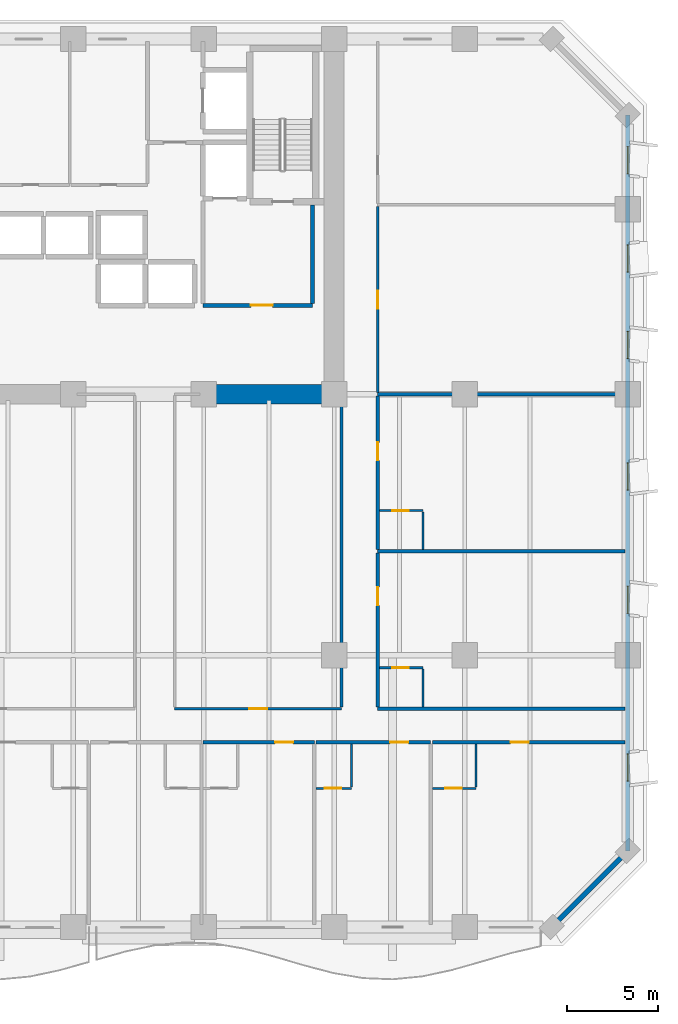
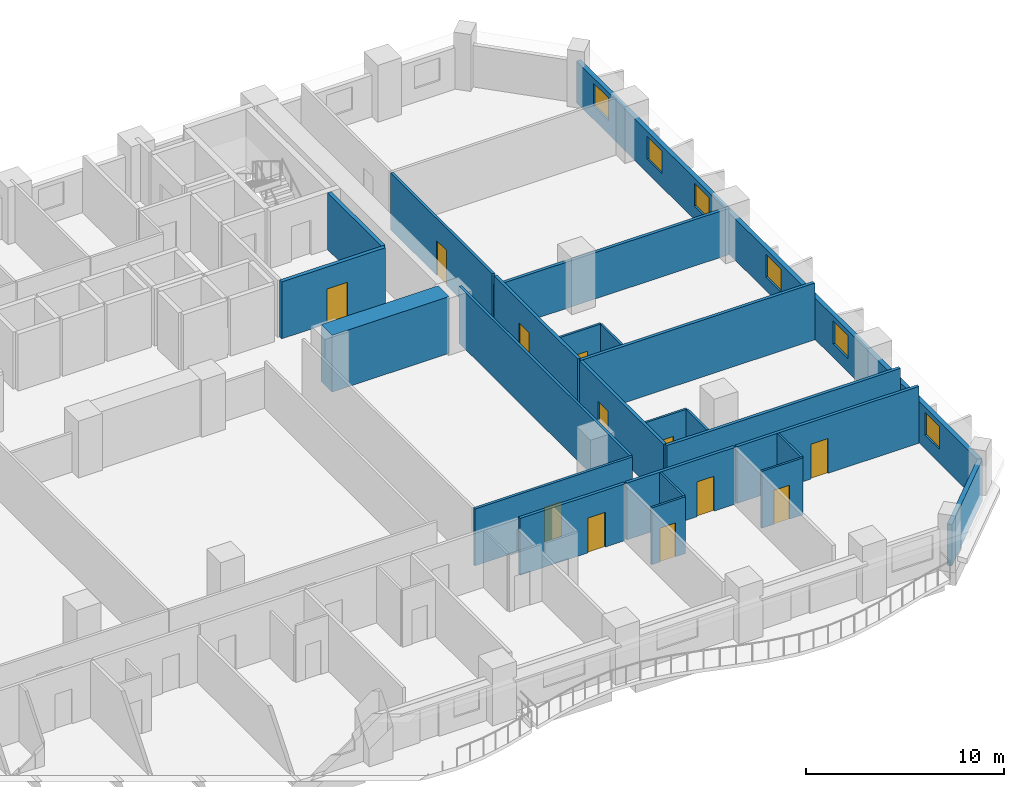
# One storey, part 10 of 15: 24 walls, 12 doors, 6 windows, 18 openings.
"""IFC4 building model written with IfcOpenShell, lengths in metres."""

from ifc_helpers import new_model, si_unit, direction, frame, frame_2d, origin, place, context, subcontext, project, spatial, rectangle, extrude, material, layer, layer_set, type_object, element, fill, save


model = new_model("IFC4")

# Units and contexts
model_context = context("Model", 3, precision=1e-05, world=origin(), true_north=direction((0.0, 1.0)))
body_context = subcontext(model_context, "Body", "Model", "MODEL_VIEW")
ifc_project = project(units=[si_unit("LENGTHUNIT", "METRE"), si_unit("AREAUNIT", "SQUARE_METRE"), si_unit("VOLUMEUNIT", "CUBIC_METRE"), si_unit("PLANEANGLEUNIT", "RADIAN"), si_unit("MASSUNIT", "GRAM", prefix="KILO")], contexts=[model_context])

# Site, building, storey
site_placement = place(None, origin())
site = spatial("IfcSite", under=ifc_project, at=site_placement, CompositionType="ELEMENT")
building_placement = place(site_placement, origin())
building = spatial("IfcBuilding", under=site, at=building_placement, Name="Kaelvorn Grand Hotel", CompositionType="ELEMENT")
storey_placement = place(building_placement, frame((0.0, 0.0, 42.64990234375)))
storey = spatial("IfcBuildingStorey", under=building, at=storey_placement, Name="L08", CompositionType="ELEMENT", Elevation=42.64990234375)

# Walls
ifc_material_1 = material(Name="Concrete C80/95", Category="concrete")
ifc_layer_1 = layer(ifc_material_1, 1.10009765625)
ifc_layer_set_1 = layer_set([ifc_layer_1], Name="Concrete C80/95")
wall_type_1 = type_object("IfcWallType", Name="WL-CORE-1100-C80", PredefinedType="SHEAR", material=ifc_layer_set_1)
wall_1_placement = place(storey_placement, frame((60.39990234375, 29.39990234375, 0.0), z_axis=(0.0, 0.0, 1.0), x_axis=(1.0, 0.0, 0.0)))
element("IfcWall", 1, at=wall_1_placement, inside=storey, type_object=wall_type_1, Name="L08 Rear-Core Coupled Shear Pier S4", PredefinedType="SHEAR", context=body_context, shape_type="SweptSolid", body=[
    extrude(rectangle(XDim=6.84521484375, YDim=1.10009765625, at=frame_2d((3.422607421875, 0.0))), origin(), (0.0, 0.0, 1.0), 3.510009765625),
])
ifc_material_2 = material(Name="Concrete C40/50", Category="concrete")
ifc_layer_2 = layer(ifc_material_2, 0.260009765625)
ifc_layer_set_2 = layer_set([ifc_layer_2], Name="Concrete C40/50")
wall_type_2 = type_object("IfcWallType", Name="WL-EXT-260-C40", PredefinedType="SOLIDWALL", material=ifc_layer_set_2)
wall_2_placement = place(storey_placement, frame((79.800048828125, 0.0, 0.0), z_axis=(0.0, 0.0, 1.0), x_axis=(0.707106781187, 0.707106781187, 0.0)))
element("IfcWall", 2, at=wall_2_placement, inside=storey, type_object=wall_type_2, Name="L08 Exterior Architectural Concrete Wall 02", PredefinedType="SOLIDWALL", context=body_context, shape_type="SweptSolid", body=[
    extrude(rectangle(XDim=5.939697265625, YDim=0.260009765625, at=frame_2d((2.9697265625, 0.0))), origin(), (0.0, 0.0, 1.0), 2.56005859375),
])

# Wall, openings, windows
wall_3_placement = place(storey_placement, frame((84.0, 4.199951171875, 0.0), z_axis=(0.0, 0.0, 1.0), x_axis=(0.0, 1.0, 0.0)))
wall_3 = element("IfcWall", 3, at=wall_3_placement, inside=storey, type_object=wall_type_2, Name="L08 Exterior Architectural Concrete Wall 03", PredefinedType="SOLIDWALL", context=body_context, shape_type="SweptSolid", body=[
    extrude(rectangle(XDim=40.60009765625, YDim=0.260009765625, at=frame_2d((20.300048828125, 0.0))), origin(), (0.0, 0.0, 1.0), 2.56005859375),
])
opening_1_placement = place(wall_3_placement, frame((3.85009765625, 0.0, 0.85009765625)))
opening_1 = element("IfcOpeningElement", 4, at=opening_1_placement, cuts=wall_3, Name="Opening W10", PredefinedType="OPENING", context=body_context, shape_type="SweptSolid", body=[
    extrude(rectangle(XDim=1.5, YDim=1.39990234375, at=frame_2d((0.75, 0.699951171875))), frame((0.0, 0.14013671875, 0.0), z_axis=(0.0, -1.0, 0.0), x_axis=(1.0, 0.0, 0.0)), (0.0, 0.0, 1.0), 0.280029296875),
])
opening_2_placement = place(wall_3_placement, frame((13.114990234375, 0.0, 0.85009765625)))
opening_2 = element("IfcOpeningElement", 5, at=opening_2_placement, cuts=wall_3, Name="Opening W10", PredefinedType="OPENING", context=body_context, shape_type="SweptSolid", body=[
    extrude(rectangle(XDim=1.5, YDim=1.39990234375, at=frame_2d((0.75, 0.699951171875))), frame((0.0, 0.14013671875, 0.0), z_axis=(0.0, -1.0, 0.0), x_axis=(1.0, 0.0, 0.0)), (0.0, 0.0, 1.0), 0.280029296875),
])
opening_3_placement = place(wall_3_placement, frame((19.9150390625, 0.0, 0.85009765625)))
opening_3 = element("IfcOpeningElement", 6, at=opening_3_placement, cuts=wall_3, Name="Opening W10", PredefinedType="OPENING", context=body_context, shape_type="SweptSolid", body=[
    extrude(rectangle(XDim=1.5, YDim=1.39990234375, at=frame_2d((0.75, 0.699951171875))), frame((0.0, 0.14013671875, 0.0), z_axis=(0.0, -1.0, 0.0), x_axis=(1.0, 0.0, 0.0)), (0.0, 0.0, 1.0), 0.280029296875),
])
opening_4_placement = place(wall_3_placement, frame((27.1650390625, 0.0, 0.85009765625)))
opening_4 = element("IfcOpeningElement", 7, at=opening_4_placement, cuts=wall_3, Name="Opening W10", PredefinedType="OPENING", context=body_context, shape_type="SweptSolid", body=[
    extrude(rectangle(XDim=1.5, YDim=1.39990234375, at=frame_2d((0.75, 0.699951171875))), frame((0.0, 0.14013671875, 0.0), z_axis=(0.0, -1.0, 0.0), x_axis=(1.0, 0.0, 0.0)), (0.0, 0.0, 1.0), 0.280029296875),
])
opening_5_placement = place(wall_3_placement, frame((31.93505859375, 0.0, 0.85009765625)))
opening_5 = element("IfcOpeningElement", 8, at=opening_5_placement, cuts=wall_3, Name="Opening W10", PredefinedType="OPENING", context=body_context, shape_type="SweptSolid", body=[
    extrude(rectangle(XDim=1.5, YDim=1.39990234375, at=frame_2d((0.75, 0.699951171875))), frame((0.0, 0.14013671875, 0.0), z_axis=(0.0, -1.0, 0.0), x_axis=(1.0, 0.0, 0.0)), (0.0, 0.0, 1.0), 0.280029296875),
])
opening_6_placement = place(wall_3_placement, frame((37.364990234375, 0.0, 0.85009765625)))
opening_6 = element("IfcOpeningElement", 9, at=opening_6_placement, cuts=wall_3, Name="Opening W10", PredefinedType="OPENING", context=body_context, shape_type="SweptSolid", body=[
    extrude(rectangle(XDim=1.5, YDim=1.39990234375, at=frame_2d((0.75, 0.699951171875))), frame((0.0, 0.14013671875, 0.0), z_axis=(0.0, -1.0, 0.0), x_axis=(1.0, 0.0, 0.0)), (0.0, 0.0, 1.0), 0.280029296875),
])
ifc_material_3 = material(Name="Laminated Low-E Glass", Category="glass")
window_type = type_object("IfcWindowType", Name="WIN-COR-1500x1400", PartitioningType="SINGLE_PANEL", PredefinedType="WINDOW", material=ifc_material_3)
window_1_placement = place(opening_1_placement, origin())
window_1 = element("IfcWindow", 10, at=window_1_placement, inside=storey, type_object=window_type, Name="L08 E Wing Tilted-Frame Ribbon Window E01", OverallHeight=1.39990234375, OverallWidth=1.5, PartitioningType="SINGLE_PANEL", PredefinedType="WINDOW", context=body_context, shape_type="SweptSolid", body=[
    extrude(rectangle(XDim=1.5, YDim=1.39990234375, at=frame_2d((0.75, 0.699951171875))), frame((0.0, 0.030029296875, 0.0), z_axis=(0.0, -1.0, 0.0), x_axis=(1.0, 0.0, 0.0)), (0.0, 0.0, 1.0), 0.06005859375),
])
fill(opening_1, window_1)
window_2_placement = place(opening_2_placement, origin())
window_2 = element("IfcWindow", 11, at=window_2_placement, inside=storey, type_object=window_type, Name="L08 E Wing Tilted-Frame Ribbon Window E02", OverallHeight=1.39990234375, OverallWidth=1.5, PartitioningType="SINGLE_PANEL", PredefinedType="WINDOW", context=body_context, shape_type="SweptSolid", body=[
    extrude(rectangle(XDim=1.5, YDim=1.39990234375, at=frame_2d((0.75, 0.699951171875))), frame((0.0, 0.030029296875, 0.0), z_axis=(0.0, -1.0, 0.0), x_axis=(1.0, 0.0, 0.0)), (0.0, 0.0, 1.0), 0.06005859375),
])
fill(opening_2, window_2)
window_3_placement = place(opening_3_placement, origin())
window_3 = element("IfcWindow", 12, at=window_3_placement, inside=storey, type_object=window_type, Name="L08 E Wing Tilted-Frame Ribbon Window E03", OverallHeight=1.39990234375, OverallWidth=1.5, PartitioningType="SINGLE_PANEL", PredefinedType="WINDOW", context=body_context, shape_type="SweptSolid", body=[
    extrude(rectangle(XDim=1.5, YDim=1.39990234375, at=frame_2d((0.75, 0.699951171875))), frame((0.0, 0.030029296875, 0.0), z_axis=(0.0, -1.0, 0.0), x_axis=(1.0, 0.0, 0.0)), (0.0, 0.0, 1.0), 0.06005859375),
])
fill(opening_3, window_3)
window_4_placement = place(opening_4_placement, origin())
window_4 = element("IfcWindow", 13, at=window_4_placement, inside=storey, type_object=window_type, Name="L08 E Wing Tilted-Frame Ribbon Window E04", OverallHeight=1.39990234375, OverallWidth=1.5, PartitioningType="SINGLE_PANEL", PredefinedType="WINDOW", context=body_context, shape_type="SweptSolid", body=[
    extrude(rectangle(XDim=1.5, YDim=1.39990234375, at=frame_2d((0.75, 0.699951171875))), frame((0.0, 0.030029296875, 0.0), z_axis=(0.0, -1.0, 0.0), x_axis=(1.0, 0.0, 0.0)), (0.0, 0.0, 1.0), 0.06005859375),
])
fill(opening_4, window_4)
window_5_placement = place(opening_5_placement, origin())
window_5 = element("IfcWindow", 14, at=window_5_placement, inside=storey, type_object=window_type, Name="L08 E Wing Tilted-Frame Ribbon Window E05", OverallHeight=1.39990234375, OverallWidth=1.5, PartitioningType="SINGLE_PANEL", PredefinedType="WINDOW", context=body_context, shape_type="SweptSolid", body=[
    extrude(rectangle(XDim=1.5, YDim=1.39990234375, at=frame_2d((0.75, 0.699951171875))), frame((0.0, 0.030029296875, 0.0), z_axis=(0.0, -1.0, 0.0), x_axis=(1.0, 0.0, 0.0)), (0.0, 0.0, 1.0), 0.06005859375),
])
fill(opening_5, window_5)
window_6_placement = place(opening_6_placement, origin())
window_6 = element("IfcWindow", 15, at=window_6_placement, inside=storey, type_object=window_type, Name="L08 E Wing Tilted-Frame Ribbon Window E06", OverallHeight=1.39990234375, OverallWidth=1.5, PartitioningType="SINGLE_PANEL", PredefinedType="WINDOW", context=body_context, shape_type="SweptSolid", body=[
    extrude(rectangle(XDim=1.5, YDim=1.39990234375, at=frame_2d((0.75, 0.699951171875))), frame((0.0, 0.030029296875, 0.0), z_axis=(0.0, -1.0, 0.0), x_axis=(1.0, 0.0, 0.0)), (0.0, 0.0, 1.0), 0.06005859375),
])
fill(opening_6, window_6)

# Wall, opening, door
ifc_material_4 = material(Name="Moisture-Resistant Tile & Stud Board")
ifc_layer_3 = layer(ifc_material_4, 0.125)
ifc_layer_set_3 = layer_set([ifc_layer_3], Name="Moisture-Resistant Tile & Stud Board")
wall_type_3 = type_object("IfcWallType", Name="WL-PART-125-WET", PredefinedType="PARTITIONING", material=ifc_layer_set_3)
wall_4_placement = place(storey_placement, frame((66.793701171875, 7.64990234375, 0.0), z_axis=(0.0, 0.0, 1.0), x_axis=(1.0, 0.0, 0.0)))
wall_4 = element("IfcWall", 16, at=wall_4_placement, inside=storey, type_object=wall_type_3, Name="L08 En-suite Bathroom L08-11 S Partition", PredefinedType="PARTITIONING", context=body_context, shape_type="SweptSolid", body=[
    extrude(rectangle(XDim=1.965087890625, YDim=0.125, at=frame_2d((0.982421875, 0.0))), origin(), (0.0, 0.0, 1.0), 3.510009765625),
])
opening_7_placement = place(wall_4_placement, frame((0.485107421875, 0.0, 0.0)))
opening_7 = element("IfcOpeningElement", 17, at=opening_7_placement, cuts=wall_4, Name="Opening DI4", PredefinedType="OPENING", context=body_context, shape_type="SweptSolid", body=[
    extrude(rectangle(XDim=0.89990234375, YDim=2.10009765625, at=frame_2d((0.449951171875, 1.050048828125))), frame((0.0, 0.072509765625, 0.0), z_axis=(0.0, -1.0, 0.0), x_axis=(1.0, 0.0, 0.0)), (0.0, 0.0, 1.0), 0.14501953125),
])
ifc_material_5 = material(Name="Timber Veneer Leaf", Category="wood")
door_type_1 = type_object("IfcDoorType", Name="DR-INT-BATH-900x2100", OperationType="NOTDEFINED", PredefinedType="DOOR", material=ifc_material_5)
door_1_placement = place(opening_7_placement, origin())
door_1 = element("IfcDoor", 18, at=door_1_placement, inside=storey, type_object=door_type_1, Name="L08 En-suite Bathroom L08-11 Door", OperationType="SINGLE_SWING_RIGHT", OverallHeight=2.10009765625, OverallWidth=0.89990234375, PredefinedType="DOOR", context=body_context, shape_type="SweptSolid", body=[
    extrude(rectangle(XDim=0.89990234375, YDim=2.10009765625, at=frame_2d((0.449951171875, 1.050048828125))), frame((0.0, 0.02490234375, 0.0), z_axis=(0.0, -1.0, 0.0), x_axis=(1.0, 0.0, 0.0)), (0.0, 0.0, 1.0), 0.050048828125),
])
fill(opening_7, door_1)

# Wall
wall_5_placement = place(storey_placement, frame((68.7587890625, 7.717529296875, 0.0), z_axis=(0.0, 0.0, 1.0), x_axis=(0.0, 1.0, 0.0)))
element("IfcWall", 19, at=wall_5_placement, inside=storey, type_object=wall_type_3, Name="L08 En-suite Bathroom L08-11 E Partition", PredefinedType="PARTITIONING", context=body_context, shape_type="SweptSolid", body=[
    extrude(rectangle(XDim=2.387451171875, YDim=0.125, at=frame_2d((1.19384765625, 0.0))), origin(), (0.0, 0.0, 1.0), 3.510009765625),
])

# Wall, opening, door
wall_6_placement = place(storey_placement, frame((73.21923828125, 7.64990234375, 0.0), z_axis=(0.0, 0.0, 1.0), x_axis=(1.0, 0.0, 0.0)))
wall_6 = element("IfcWall", 20, at=wall_6_placement, inside=storey, type_object=wall_type_3, Name="L08 En-suite Bathroom L08-12 S Partition", PredefinedType="PARTITIONING", context=body_context, shape_type="SweptSolid", body=[
    extrude(rectangle(XDim=2.405029296875, YDim=0.125, at=frame_2d((1.20263671875, 0.0))), origin(), (0.0, 0.0, 1.0), 3.510009765625),
])
opening_8_placement = place(wall_6_placement, frame((0.705078125, 0.0, 0.0)))
opening_8 = element("IfcOpeningElement", 21, at=opening_8_placement, cuts=wall_6, Name="Opening DI4", PredefinedType="OPENING", context=body_context, shape_type="SweptSolid", body=[
    extrude(rectangle(XDim=0.89990234375, YDim=2.10009765625, at=frame_2d((0.449951171875, 1.050048828125))), frame((0.0, 0.072509765625, 0.0), z_axis=(0.0, -1.0, 0.0), x_axis=(1.0, 0.0, 0.0)), (0.0, 0.0, 1.0), 0.14501953125),
])
door_2_placement = place(opening_8_placement, origin())
door_2 = element("IfcDoor", 22, at=door_2_placement, inside=storey, type_object=door_type_1, Name="L08 En-suite Bathroom L08-12 Door", OperationType="SINGLE_SWING_RIGHT", OverallHeight=2.10009765625, OverallWidth=0.89990234375, PredefinedType="DOOR", context=body_context, shape_type="SweptSolid", body=[
    extrude(rectangle(XDim=0.89990234375, YDim=2.10009765625, at=frame_2d((0.449951171875, 1.050048828125))), frame((0.0, 0.02490234375, 0.0), z_axis=(0.0, -1.0, 0.0), x_axis=(1.0, 0.0, 0.0)), (0.0, 0.0, 1.0), 0.050048828125),
])
fill(opening_8, door_2)

# Wall
wall_7_placement = place(storey_placement, frame((75.624267578125, 7.717529296875, 0.0), z_axis=(0.0, 0.0, 1.0), x_axis=(0.0, 1.0, 0.0)))
element("IfcWall", 23, at=wall_7_placement, inside=storey, type_object=wall_type_3, Name="L08 En-suite Bathroom L08-12 E Partition", PredefinedType="PARTITIONING", context=body_context, shape_type="SweptSolid", body=[
    extrude(rectangle(XDim=2.387451171875, YDim=0.125, at=frame_2d((1.19384765625, 0.0))), origin(), (0.0, 0.0, 1.0), 3.510009765625),
])

# Wall, opening, door
wall_8_placement = place(storey_placement, frame((70.294921875, 14.31005859375, 0.0), z_axis=(0.0, 0.0, 1.0), x_axis=(1.0, 0.0, 0.0)))
wall_8 = element("IfcWall", 24, at=wall_8_placement, inside=storey, type_object=wall_type_3, Name="L08 En-suite Bathroom L08-15 N Partition", PredefinedType="PARTITIONING", context=body_context, shape_type="SweptSolid", body=[
    extrude(rectangle(XDim=2.405029296875, YDim=0.125, at=frame_2d((1.20263671875, 0.0))), origin(), (0.0, 0.0, 1.0), 3.510009765625),
])
opening_9_placement = place(wall_8_placement, frame((0.705078125, 0.0, 0.0)))
opening_9 = element("IfcOpeningElement", 25, at=opening_9_placement, cuts=wall_8, Name="Opening DI4", PredefinedType="OPENING", context=body_context, shape_type="SweptSolid", body=[
    extrude(rectangle(XDim=0.89990234375, YDim=2.10009765625, at=frame_2d((0.449951171875, 1.050048828125))), frame((0.0, 0.072509765625, 0.0), z_axis=(0.0, -1.0, 0.0), x_axis=(1.0, 0.0, 0.0)), (0.0, 0.0, 1.0), 0.14501953125),
])
door_3_placement = place(opening_9_placement, origin())
door_3 = element("IfcDoor", 26, at=door_3_placement, inside=storey, type_object=door_type_1, Name="L08 En-suite Bathroom L08-15 Door", OperationType="SINGLE_SWING_RIGHT", OverallHeight=2.10009765625, OverallWidth=0.89990234375, PredefinedType="DOOR", context=body_context, shape_type="SweptSolid", body=[
    extrude(rectangle(XDim=0.89990234375, YDim=2.10009765625, at=frame_2d((0.449951171875, 1.050048828125))), frame((0.0, 0.02490234375, 0.0), z_axis=(0.0, -1.0, 0.0), x_axis=(1.0, 0.0, 0.0)), (0.0, 0.0, 1.0), 0.050048828125),
])
fill(opening_9, door_3)

# Wall
wall_9_placement = place(storey_placement, frame((72.699951171875, 12.14501953125, 0.0), z_axis=(0.0, 0.0, 1.0), x_axis=(0.0, 1.0, 0.0)))
element("IfcWall", 27, at=wall_9_placement, inside=storey, type_object=wall_type_3, Name="L08 En-suite Bathroom L08-15 E Partition", PredefinedType="PARTITIONING", context=body_context, shape_type="SweptSolid", body=[
    extrude(rectangle(XDim=2.097412109375, YDim=0.125, at=frame_2d((1.048828125, 0.0))), origin(), (0.0, 0.0, 1.0), 3.510009765625),
])

# Wall, opening, door
wall_10_placement = place(storey_placement, frame((70.294921875, 22.97998046875, 0.0), z_axis=(0.0, 0.0, 1.0), x_axis=(1.0, 0.0, 0.0)))
wall_10 = element("IfcWall", 28, at=wall_10_placement, inside=storey, type_object=wall_type_3, Name="L08 En-suite Bathroom L08-16 N Partition", PredefinedType="PARTITIONING", context=body_context, shape_type="SweptSolid", body=[
    extrude(rectangle(XDim=2.405029296875, YDim=0.125, at=frame_2d((1.20263671875, 0.0))), origin(), (0.0, 0.0, 1.0), 3.510009765625),
])
opening_10_placement = place(wall_10_placement, frame((0.705078125, 0.0, 0.0)))
opening_10 = element("IfcOpeningElement", 29, at=opening_10_placement, cuts=wall_10, Name="Opening DI4", PredefinedType="OPENING", context=body_context, shape_type="SweptSolid", body=[
    extrude(rectangle(XDim=0.89990234375, YDim=2.10009765625, at=frame_2d((0.449951171875, 1.050048828125))), frame((0.0, 0.072509765625, 0.0), z_axis=(0.0, -1.0, 0.0), x_axis=(1.0, 0.0, 0.0)), (0.0, 0.0, 1.0), 0.14501953125),
])
door_4_placement = place(opening_10_placement, origin())
door_4 = element("IfcDoor", 30, at=door_4_placement, inside=storey, type_object=door_type_1, Name="L08 En-suite Bathroom L08-16 Door", OperationType="SINGLE_SWING_RIGHT", OverallHeight=2.10009765625, OverallWidth=0.89990234375, PredefinedType="DOOR", context=body_context, shape_type="SweptSolid", body=[
    extrude(rectangle(XDim=0.89990234375, YDim=2.10009765625, at=frame_2d((0.449951171875, 1.050048828125))), frame((0.0, 0.02490234375, 0.0), z_axis=(0.0, -1.0, 0.0), x_axis=(1.0, 0.0, 0.0)), (0.0, 0.0, 1.0), 0.050048828125),
])
fill(opening_10, door_4)

# Wall
wall_11_placement = place(storey_placement, frame((72.699951171875, 20.824951171875, 0.0), z_axis=(0.0, 0.0, 1.0), x_axis=(0.0, 1.0, 0.0)))
element("IfcWall", 31, at=wall_11_placement, inside=storey, type_object=wall_type_3, Name="L08 En-suite Bathroom L08-16 E Partition", PredefinedType="PARTITIONING", context=body_context, shape_type="SweptSolid", body=[
    extrude(rectangle(XDim=2.087646484375, YDim=0.125, at=frame_2d((1.0439453125, 0.0))), origin(), (0.0, 0.0, 1.0), 3.510009765625),
])

# Wall, opening, door
ifc_material_6 = material(Name="Acoustic Gypsum & Stud Partition")
ifc_layer_4 = layer(ifc_material_6, 0.14990234375)
ifc_layer_set_4 = layer_set([ifc_layer_4], Name="Acoustic Gypsum & Stud Partition")
wall_type_4 = type_object("IfcWallType", Name="WL-PART-150-EI60", PredefinedType="PARTITIONING", material=ifc_layer_set_4)
wall_12_placement = place(storey_placement, frame((59.0, 12.050048828125, 0.0), z_axis=(0.0, 0.0, 1.0), x_axis=(1.0, 0.0, 0.0)))
wall_12 = element("IfcWall", 32, at=wall_12_placement, inside=storey, type_object=wall_type_4, Name="L08 Wellness Fitness Gym S Partition", PredefinedType="PARTITIONING", context=body_context, shape_type="SweptSolid", body=[
    extrude(rectangle(XDim=9.199951171875, YDim=0.14990234375, at=frame_2d((4.60009765625, 0.0))), origin(), (0.0, 0.0, 1.0), 3.510009765625),
])
opening_11_placement = place(wall_12_placement, frame((4.10009765625, 0.0, 0.0)))
opening_11 = element("IfcOpeningElement", 33, at=opening_11_placement, cuts=wall_12, Name="Opening DI3", PredefinedType="OPENING", context=body_context, shape_type="SweptSolid", body=[
    extrude(rectangle(XDim=1.0, YDim=2.14990234375, at=frame_2d((0.5, 1.074951171875))), frame((0.0, 0.0849609375, 0.0), z_axis=(0.0, -1.0, 0.0), x_axis=(1.0, 0.0, 0.0)), (0.0, 0.0, 1.0), 0.169921875),
])
ifc_material_7 = material(Name="Timber Veneer Fire Leaf", Category="wood")
door_type_2 = type_object("IfcDoorType", Name="DR-INT-GUEST-1000x2150", OperationType="NOTDEFINED", PredefinedType="DOOR", material=ifc_material_7)
door_5_placement = place(opening_11_placement, origin())
door_5 = element("IfcDoor", 34, at=door_5_placement, inside=storey, type_object=door_type_2, Name="L08 Wellness Fitness Gym Door", OperationType="SINGLE_SWING_RIGHT", OverallHeight=2.14990234375, OverallWidth=1.0, PredefinedType="DOOR", context=body_context, shape_type="SweptSolid", body=[
    extrude(rectangle(XDim=1.0, YDim=2.14990234375, at=frame_2d((0.5, 1.074951171875))), frame((0.0, 0.02490234375, 0.0), z_axis=(0.0, -1.0, 0.0), x_axis=(1.0, 0.0, 0.0)), (0.0, 0.0, 1.0), 0.050048828125),
])
fill(opening_11, door_5)

# Wall
wall_13_placement = place(storey_placement, frame((68.199951171875, 12.1298828125, 0.0), z_axis=(0.0, 0.0, 1.0), x_axis=(0.0, 1.0, 0.0)))
element("IfcWall", 35, at=wall_13_placement, inside=storey, type_object=wall_type_4, Name="L08 Wellness Fitness Gym E Partition", PredefinedType="PARTITIONING", context=body_context, shape_type="SweptSolid", body=[
    extrude(rectangle(XDim=17.260009765625, YDim=0.14990234375, at=frame_2d((8.6298828125, 0.0))), origin(), (0.0, 0.0, 1.0), 3.510009765625),
])

# Wall, opening, door
wall_14_placement = place(storey_placement, frame((70.199951171875, 29.4951171875, 0.0), z_axis=(0.0, 0.0, 1.0), x_axis=(0.0, 1.0, 0.0)))
wall_14 = element("IfcWall", 36, at=wall_14_placement, inside=storey, type_object=wall_type_4, Name="L08 North-East Wellness Fitness Gym W Partition", PredefinedType="PARTITIONING", context=body_context, shape_type="SweptSolid", body=[
    extrude(rectangle(XDim=10.27490234375, YDim=0.14990234375, at=frame_2d((5.137451171875, 0.0))), origin(), (0.0, 0.0, 1.0), 3.510009765625),
])
opening_12_placement = place(wall_14_placement, frame((4.625, 0.0, 0.0)))
opening_12 = element("IfcOpeningElement", 37, at=opening_12_placement, cuts=wall_14, Name="Opening DI3", PredefinedType="OPENING", context=body_context, shape_type="SweptSolid", body=[
    extrude(rectangle(XDim=1.0, YDim=2.14990234375, at=frame_2d((0.5, 1.074951171875))), frame((0.0, 0.0849609375, 0.0), z_axis=(0.0, -1.0, 0.0), x_axis=(1.0, 0.0, 0.0)), (0.0, 0.0, 1.0), 0.169921875),
])
door_6_placement = place(opening_12_placement, origin())
door_6 = element("IfcDoor", 38, at=door_6_placement, inside=storey, type_object=door_type_2, Name="L08 North-East Wellness Fitness Gym Door", OperationType="SINGLE_SWING_LEFT", OverallHeight=2.14990234375, OverallWidth=1.0, PredefinedType="DOOR", context=body_context, shape_type="SweptSolid", body=[
    extrude(rectangle(XDim=1.0, YDim=2.14990234375, at=frame_2d((0.5, 1.074951171875))), frame((0.0, 0.02490234375, 0.0), z_axis=(0.0, -1.0, 0.0), x_axis=(1.0, 0.0, 0.0)), (0.0, 0.0, 1.0), 0.050048828125),
])
fill(opening_12, door_6)

ifc_layer_5 = layer(ifc_material_6, 0.179931640625)
ifc_layer_set_5 = layer_set([ifc_layer_5], Name="Acoustic Gypsum & Stud Partition")
wall_type_5 = type_object("IfcWallType", Name="WL-PART-180-EI60", PredefinedType="PARTITIONING", material=ifc_layer_set_5)
wall_15_placement = place(storey_placement, frame((60.56884765625, 10.199951171875, 0.0), z_axis=(0.0, 0.0, 1.0), x_axis=(1.0, 0.0, 0.0)))
wall_15 = element("IfcWall", 39, at=wall_15_placement, inside=storey, type_object=wall_type_5, Name="L08 Deluxe King Guest Room L08-10 N Partition", PredefinedType="PARTITIONING", context=body_context, shape_type="SweptSolid", body=[
    extrude(rectangle(XDim=6.1298828125, YDim=0.179931640625, at=frame_2d((3.06494140625, 0.0))), origin(), (0.0, 0.0, 1.0), 3.510009765625),
])
opening_13_placement = place(wall_15_placement, frame((3.96728515625, 0.0, 0.0)))
opening_13 = element("IfcOpeningElement", 40, at=opening_13_placement, cuts=wall_15, Name="Opening DI3", PredefinedType="OPENING", context=body_context, shape_type="SweptSolid", body=[
    extrude(rectangle(XDim=1.0, YDim=2.14990234375, at=frame_2d((0.5, 1.074951171875))), frame((0.0, 0.10009765625, 0.0), z_axis=(0.0, -1.0, 0.0), x_axis=(1.0, 0.0, 0.0)), (0.0, 0.0, 1.0), 0.199951171875),
])
door_7_placement = place(opening_13_placement, origin())
door_7 = element("IfcDoor", 41, at=door_7_placement, inside=storey, type_object=door_type_2, Name="L08 Deluxe King Guest Room L08-10 Door", OperationType="SINGLE_SWING_LEFT", OverallHeight=2.14990234375, OverallWidth=1.0, PredefinedType="DOOR", context=body_context, shape_type="SweptSolid", body=[
    extrude(rectangle(XDim=1.0, YDim=2.14990234375, at=frame_2d((0.5, 1.074951171875))), frame((0.0, 0.02490234375, 0.0), z_axis=(0.0, -1.0, 0.0), x_axis=(1.0, 0.0, 0.0)), (0.0, 0.0, 1.0), 0.050048828125),
])
fill(opening_13, door_7)

wall_16_placement = place(storey_placement, frame((66.793701171875, 10.199951171875, 0.0), z_axis=(0.0, 0.0, 1.0), x_axis=(1.0, 0.0, 0.0)))
wall_16 = element("IfcWall", 42, at=wall_16_placement, inside=storey, type_object=wall_type_5, Name="L08 Deluxe Panoramic Suite L08-11 N Partition", PredefinedType="PARTITIONING", context=body_context, shape_type="SweptSolid", body=[
    extrude(rectangle(XDim=6.33056640625, YDim=0.179931640625, at=frame_2d((3.165283203125, 0.0))), origin(), (0.0, 0.0, 1.0), 3.510009765625),
])
opening_14_placement = place(wall_16_placement, frame((4.097900390625, 0.0, 0.0)))
opening_14 = element("IfcOpeningElement", 43, at=opening_14_placement, cuts=wall_16, Name="Opening DI3", PredefinedType="OPENING", context=body_context, shape_type="SweptSolid", body=[
    extrude(rectangle(XDim=1.0, YDim=2.14990234375, at=frame_2d((0.5, 1.074951171875))), frame((0.0, 0.10009765625, 0.0), z_axis=(0.0, -1.0, 0.0), x_axis=(1.0, 0.0, 0.0)), (0.0, 0.0, 1.0), 0.199951171875),
])
door_8_placement = place(opening_14_placement, origin())
door_8 = element("IfcDoor", 44, at=door_8_placement, inside=storey, type_object=door_type_2, Name="L08 Deluxe Panoramic Suite L08-11 Door", OperationType="SINGLE_SWING_LEFT", OverallHeight=2.14990234375, OverallWidth=1.0, PredefinedType="DOOR", context=body_context, shape_type="SweptSolid", body=[
    extrude(rectangle(XDim=1.0, YDim=2.14990234375, at=frame_2d((0.5, 1.074951171875))), frame((0.0, 0.02490234375, 0.0), z_axis=(0.0, -1.0, 0.0), x_axis=(1.0, 0.0, 0.0)), (0.0, 0.0, 1.0), 0.050048828125),
])
fill(opening_14, door_8)

wall_17_placement = place(storey_placement, frame((73.21923828125, 10.199951171875, 0.0), z_axis=(0.0, 0.0, 1.0), x_axis=(1.0, 0.0, 0.0)))
wall_17 = element("IfcWall", 45, at=wall_17_placement, inside=storey, type_object=wall_type_5, Name="L08 Deluxe Panoramic Suite L08-12 N Partition", PredefinedType="PARTITIONING", context=body_context, shape_type="SweptSolid", body=[
    extrude(rectangle(XDim=10.630859375, YDim=0.179931640625, at=frame_2d((5.3154296875, 0.0))), origin(), (0.0, 0.0, 1.0), 3.510009765625),
])
opening_15_placement = place(wall_17_placement, frame((4.31787109375, 0.0, 0.0)))
opening_15 = element("IfcOpeningElement", 46, at=opening_15_placement, cuts=wall_17, Name="Opening DI3", PredefinedType="OPENING", context=body_context, shape_type="SweptSolid", body=[
    extrude(rectangle(XDim=1.0, YDim=2.14990234375, at=frame_2d((0.5, 1.074951171875))), frame((0.0, 0.10009765625, 0.0), z_axis=(0.0, -1.0, 0.0), x_axis=(1.0, 0.0, 0.0)), (0.0, 0.0, 1.0), 0.199951171875),
])
door_9_placement = place(opening_15_placement, origin())
door_9 = element("IfcDoor", 47, at=door_9_placement, inside=storey, type_object=door_type_2, Name="L08 Deluxe Panoramic Suite L08-12 Door", OperationType="SINGLE_SWING_LEFT", OverallHeight=2.14990234375, OverallWidth=1.0, PredefinedType="DOOR", context=body_context, shape_type="SweptSolid", body=[
    extrude(rectangle(XDim=1.0, YDim=2.14990234375, at=frame_2d((0.5, 1.074951171875))), frame((0.0, 0.02490234375, 0.0), z_axis=(0.0, -1.0, 0.0), x_axis=(1.0, 0.0, 0.0)), (0.0, 0.0, 1.0), 0.050048828125),
])
fill(opening_15, door_9)

# Walls
for number, where, z_axis, x_axis, name in (
    (48, (70.199951171875, 12.050048828125, 0.0), (0.0, 0.0, 1.0), (1.0, 0.0, 0.0), "L08 East Wing Panoramic Suite L08-15 S Partition"),
    (49, (70.199951171875, 20.72998046875, 0.0), (0.0, 0.0, 1.0), (1.0, 0.0, 0.0), "L08 East Wing Panoramic Suite L08-15 N Partition"),
):
    element("IfcWall", number, at=place(storey_placement, frame(where, z_axis=z_axis, x_axis=x_axis)), inside=storey, type_object=wall_type_5, Name=name, PredefinedType="PARTITIONING", context=body_context, shape_type="SweptSolid", body=[
        extrude(rectangle(XDim=13.650146484375, YDim=0.179931640625, at=frame_2d((6.8251953125, 0.0))), origin(), (0.0, 0.0, 1.0), 3.510009765625),
    ])

# Wall, opening, door
wall_18_placement = place(storey_placement, frame((70.199951171875, 12.14501953125, 0.0), z_axis=(0.0, 0.0, 1.0), x_axis=(0.0, 1.0, 0.0)))
wall_18 = element("IfcWall", 50, at=wall_18_placement, inside=storey, type_object=wall_type_5, Name="L08 East Wing Panoramic Suite L08-15 W Partition", PredefinedType="PARTITIONING", context=body_context, shape_type="SweptSolid", body=[
    extrude(rectangle(XDim=8.489990234375, YDim=0.179931640625, at=frame_2d((4.2451171875, 0.0))), origin(), (0.0, 0.0, 1.0), 3.510009765625),
])
opening_16_placement = place(wall_18_placement, frame((5.610107421875, 0.0, 0.0)))
opening_16 = element("IfcOpeningElement", 51, at=opening_16_placement, cuts=wall_18, Name="Opening DI3", PredefinedType="OPENING", context=body_context, shape_type="SweptSolid", body=[
    extrude(rectangle(XDim=1.0, YDim=2.14990234375, at=frame_2d((0.5, 1.074951171875))), frame((0.0, 0.10009765625, 0.0), z_axis=(0.0, -1.0, 0.0), x_axis=(1.0, 0.0, 0.0)), (0.0, 0.0, 1.0), 0.199951171875),
])
door_10_placement = place(opening_16_placement, origin())
door_10 = element("IfcDoor", 52, at=door_10_placement, inside=storey, type_object=door_type_2, Name="L08 East Wing Panoramic Suite L08-15 Door", OperationType="SINGLE_SWING_LEFT", OverallHeight=2.14990234375, OverallWidth=1.0, PredefinedType="DOOR", context=body_context, shape_type="SweptSolid", body=[
    extrude(rectangle(XDim=1.0, YDim=2.14990234375, at=frame_2d((0.5, 1.074951171875))), frame((0.0, 0.02490234375, 0.0), z_axis=(0.0, -1.0, 0.0), x_axis=(1.0, 0.0, 0.0)), (0.0, 0.0, 1.0), 0.050048828125),
])
fill(opening_16, door_10)

# Wall
wall_19_placement = place(storey_placement, frame((70.199951171875, 29.39990234375, 0.0), z_axis=(0.0, 0.0, 1.0), x_axis=(1.0, 0.0, 0.0)))
element("IfcWall", 53, at=wall_19_placement, inside=storey, type_object=wall_type_5, Name="L08 East Mid-Wing Suite L08-16 N Partition", PredefinedType="PARTITIONING", context=body_context, shape_type="SweptSolid", body=[
    extrude(rectangle(XDim=13.650146484375, YDim=0.179931640625, at=frame_2d((6.8251953125, 0.0))), origin(), (0.0, 0.0, 1.0), 2.860107421875),
])

# Wall, opening, door
wall_20_placement = place(storey_placement, frame((70.199951171875, 20.824951171875, 0.0), z_axis=(0.0, 0.0, 1.0), x_axis=(0.0, 1.0, 0.0)))
wall_20 = element("IfcWall", 54, at=wall_20_placement, inside=storey, type_object=wall_type_5, Name="L08 East Mid-Wing Suite L08-16 W Partition", PredefinedType="PARTITIONING", context=body_context, shape_type="SweptSolid", body=[
    extrude(rectangle(XDim=8.47998046875, YDim=0.179931640625, at=frame_2d((4.239990234375, 0.0))), origin(), (0.0, 0.0, 1.0), 3.510009765625),
])
opening_17_placement = place(wall_20_placement, frame((4.925048828125, 0.0, 0.0)))
opening_17 = element("IfcOpeningElement", 55, at=opening_17_placement, cuts=wall_20, Name="Opening DI3", PredefinedType="OPENING", context=body_context, shape_type="SweptSolid", body=[
    extrude(rectangle(XDim=1.0, YDim=2.14990234375, at=frame_2d((0.5, 1.074951171875))), frame((0.0, 0.10009765625, 0.0), z_axis=(0.0, -1.0, 0.0), x_axis=(1.0, 0.0, 0.0)), (0.0, 0.0, 1.0), 0.199951171875),
])
door_11_placement = place(opening_17_placement, origin())
door_11 = element("IfcDoor", 56, at=door_11_placement, inside=storey, type_object=door_type_2, Name="L08 East Mid-Wing Suite L08-16 Door", OperationType="SINGLE_SWING_LEFT", OverallHeight=2.14990234375, OverallWidth=1.0, PredefinedType="DOOR", context=body_context, shape_type="SweptSolid", body=[
    extrude(rectangle(XDim=1.0, YDim=2.14990234375, at=frame_2d((0.5, 1.074951171875))), frame((0.0, 0.02490234375, 0.0), z_axis=(0.0, -1.0, 0.0), x_axis=(1.0, 0.0, 0.0)), (0.0, 0.0, 1.0), 0.050048828125),
])
fill(opening_17, door_11)

ifc_layer_6 = layer(ifc_material_2, 0.219970703125)
ifc_layer_set_6 = layer_set([ifc_layer_6], Name="Concrete C40/50")
wall_type_6 = type_object("IfcWallType", Name="WL-PART-220-EI120", PredefinedType="PARTITIONING", material=ifc_layer_set_6)
wall_21_placement = place(storey_placement, frame((60.550048828125, 34.300048828125, 0.0), z_axis=(0.0, 0.0, 1.0), x_axis=(1.0, 0.0, 0.0)))
wall_21 = element("IfcWall", 57, at=wall_21_placement, inside=storey, type_object=wall_type_6, Name="L08 Firefighting Lift Lobby 2 S Partition", PredefinedType="PARTITIONING", context=body_context, shape_type="SweptSolid", body=[
    extrude(rectangle(XDim=6.050048828125, YDim=0.219970703125, at=frame_2d((3.02490234375, 0.0))), origin(), (0.0, 0.0, 1.0), 3.510009765625),
])
opening_18_placement = place(wall_21_placement, frame((2.64990234375, 0.0, 0.0)))
opening_18 = element("IfcOpeningElement", 58, at=opening_18_placement, cuts=wall_21, Name="Opening DI2", PredefinedType="OPENING", context=body_context, shape_type="SweptSolid", body=[
    extrude(rectangle(XDim=1.199951171875, YDim=2.14990234375, at=frame_2d((0.60009765625, 1.074951171875))), frame((0.0, 0.1201171875, 0.0), z_axis=(0.0, -1.0, 0.0), x_axis=(1.0, 0.0, 0.0)), (0.0, 0.0, 1.0), 0.239990234375),
])
door_type_3 = type_object("IfcDoorType", Name="DR-INT-FFLOB-1200x2150", OperationType="NOTDEFINED", PredefinedType="DOOR", material=ifc_material_7)
door_12_placement = place(opening_18_placement, origin())
door_12 = element("IfcDoor", 59, at=door_12_placement, inside=storey, type_object=door_type_3, Name="L08 Firefighting Lift Lobby 2 Door", OperationType="SINGLE_SWING_LEFT", OverallHeight=2.14990234375, OverallWidth=1.199951171875, PredefinedType="DOOR", context=body_context, shape_type="SweptSolid", body=[
    extrude(rectangle(XDim=1.199951171875, YDim=2.14990234375, at=frame_2d((0.60009765625, 1.074951171875))), frame((0.0, 0.02490234375, 0.0), z_axis=(0.0, -1.0, 0.0), x_axis=(1.0, 0.0, 0.0)), (0.0, 0.0, 1.0), 0.050048828125),
])
fill(opening_18, door_12)

# Wall
wall_22_placement = place(storey_placement, frame((66.60009765625, 34.4150390625, 0.0), z_axis=(0.0, 0.0, 1.0), x_axis=(0.0, 1.0, 0.0)))
element("IfcWall", 60, at=wall_22_placement, inside=storey, type_object=wall_type_6, Name="L08 Firefighting Lift Lobby 2 E Partition", PredefinedType="PARTITIONING", context=body_context, shape_type="SweptSolid", body=[
    extrude(rectangle(XDim=5.429931640625, YDim=0.219970703125, at=frame_2d((2.71484375, 0.0))), origin(), (0.0, 0.0, 1.0), 3.510009765625),
])

save(model, "model.ifc")
